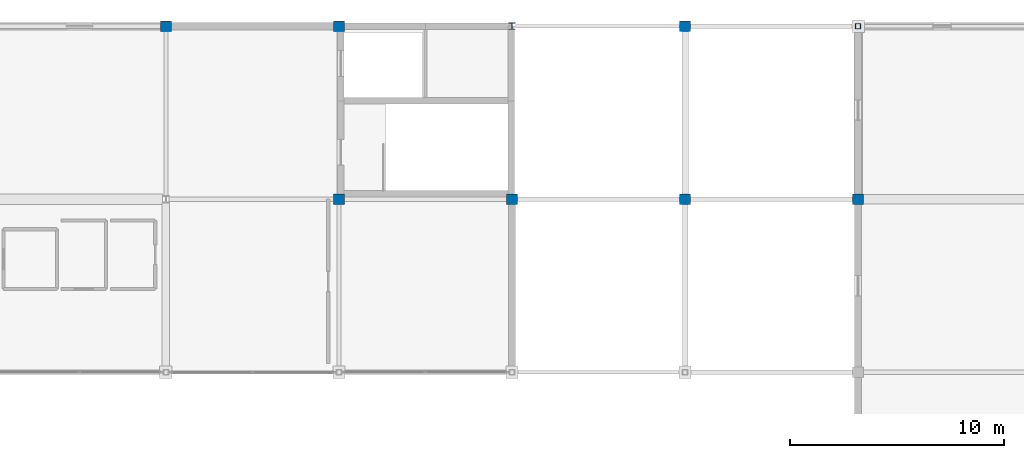
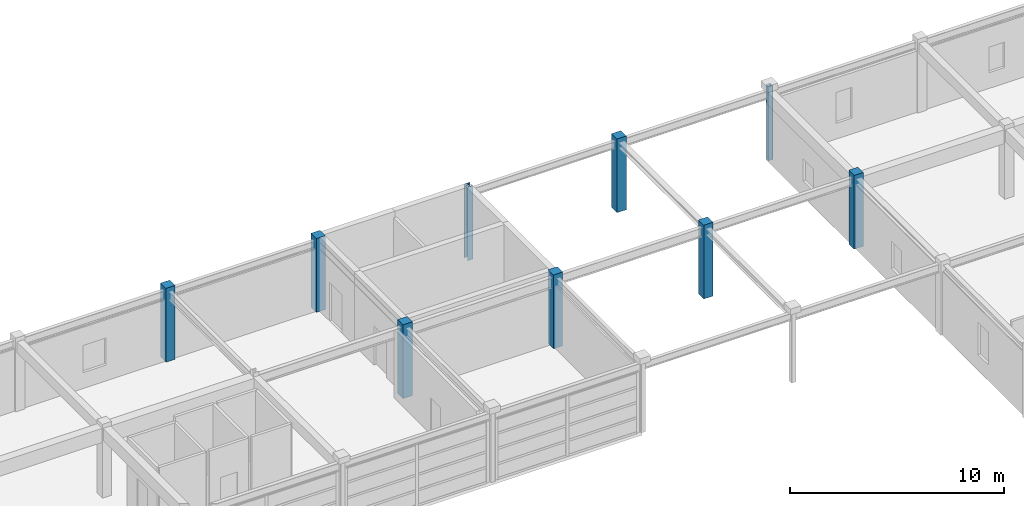
# One storey, part 7 of 26: 9 columns.
"""IFC4 building model written with IfcOpenShell, lengths in metres."""

import ifcopenshell
import ifcopenshell.guid

model = None  # the IFC model being written
_history = None  # IfcOwnerHistory: only IFC2X3 demands one
_inside = {}  # id of a spatial element -> (the spatial element, [elements in it])
_under = {}  # id of a project, library or spatial element -> (it, [spatial elements below it])
_declared = {}  # id of a project -> (the project, [libraries it declares])
_typed = {}  # id of a type object -> (the type object, [elements of that type])
_made_of = {}  # id of a material, layer set ... -> (it, [elements and type objects made of it])


def new_model(schema):
    """Start an empty IFC model of exactly this schema.

    Asked for "IFC4X3", IfcOpenShell would pick the latest addendum, in which some entities
    have other attributes; the version numbers below select the first issue.
    IFC2X3 requires an IfcOwnerHistory on every rooted entity: one is made here for all.
    """
    global model, _history
    if schema == "IFC4X3":
        model = ifcopenshell.file(schema_version=(4, 3, 0, 0))
    else:
        model = ifcopenshell.file(schema=schema)
    _inside.clear()
    _under.clear()
    _declared.clear()
    _typed.clear()
    _made_of.clear()
    _history = None
    if model.schema == "IFC2X3":
        org = make("IfcOrganization", Name="unknown")
        user = make(
            "IfcPersonAndOrganization",
            ThePerson=make("IfcPerson", FamilyName="unknown"),
            TheOrganization=org,
        )
        app = make(
            "IfcApplication",
            ApplicationDeveloper=org,
            Version="unknown",
            ApplicationFullName="unknown",
            ApplicationIdentifier="unknown",
        )
        _history = make(
            "IfcOwnerHistory",
            OwningUser=user,
            OwningApplication=app,
            ChangeAction="ADDED",
            CreationDate=0,
        )
    return model


def make(cls, **values):
    """One entity of the class cls with the attributes given. An attribute that is None is left unset."""
    return model.create_entity(
        cls, **{name: value for name, value in values.items() if value is not None}
    )


def rooted(cls, **values):
    """An entity with a GlobalId (a new one), such as an element, a storey or a relation."""
    return make(cls, GlobalId=ifcopenshell.guid.new(), OwnerHistory=_history, **values)


def si_unit(unit_type, name, prefix=None):
    """IfcSIUnit, for example si_unit("LENGTHUNIT", "METRE", prefix="MILLI")."""
    return make("IfcSIUnit", UnitType=unit_type, Prefix=prefix, Name=name)


def assignment(units):
    """IfcUnitAssignment: the units of a project."""
    return None if units is None else make("IfcUnitAssignment", Units=units)


def point(xyz):
    """IfcCartesianPoint."""
    return None if xyz is None else make("IfcCartesianPoint", Coordinates=xyz)


def direction(xyz):
    """IfcDirection."""
    return None if xyz is None else make("IfcDirection", DirectionRatios=xyz)


def frame(location, z_axis=None, x_axis=None):
    """IfcAxis2Placement3D, a coordinate frame: its origin and axes. An axis left out is left unset."""
    return make(
        "IfcAxis2Placement3D",
        Location=point(location),
        Axis=direction(z_axis),
        RefDirection=direction(x_axis),
    )


def frame_2d(location, x_axis=None):
    """IfcAxis2Placement2D, a coordinate frame in the plane: its origin and x axis."""
    return make(
        "IfcAxis2Placement2D", Location=point(location), RefDirection=direction(x_axis)
    )


def origin():
    """The frame at (0, 0, 0) with its axes left unset."""
    return frame((0.0, 0.0, 0.0))


def origin_2d():
    """The frame at (0, 0) in the plane with its x axis left unset."""
    return frame_2d((0.0, 0.0))


def place(relative_to, where):
    """IfcLocalPlacement: puts the frame where relative to a parent placement (None: the world)."""
    return make(
        "IfcLocalPlacement", PlacementRelTo=relative_to, RelativePlacement=where
    )


def context(
    kind, dimensions, precision=None, world=None, true_north=None, identifier=None
):
    """IfcGeometricRepresentationContext, for example the 3D "Model" context."""
    return make(
        "IfcGeometricRepresentationContext",
        ContextIdentifier=identifier,
        ContextType=kind,
        CoordinateSpaceDimension=dimensions,
        Precision=precision,
        WorldCoordinateSystem=world,
        TrueNorth=true_north,
    )


def subcontext(parent, identifier, kind, view, scale=None):
    """IfcGeometricRepresentationSubContext, for example "Body" below "Model"."""
    return make(
        "IfcGeometricRepresentationSubContext",
        ContextIdentifier=identifier,
        ContextType=kind,
        ParentContext=parent,
        TargetScale=scale,
        TargetView=view,
    )


def project(units=None, contexts=None):
    """IfcProject with its units and contexts."""
    return rooted(
        "IfcProject",
        Name="project",
        RepresentationContexts=contexts,
        UnitsInContext=assignment(units),
    )


def spatial(cls, under=None, at=None, **own):
    """A site, building, storey or space (cls), placed at a placement, below another one or the project."""
    s = rooted(cls, ObjectPlacement=at, **own)
    if under is not None:
        _under.setdefault(under.id(), (under, []))[1].append(s)
    return s


def profile(cls, at=None, kind="AREA", **sizes):
    """A parametric profile (cls). Its sizes go by their IFC names, for example OverallWidth=200.0."""
    return make(cls, ProfileType=kind, Position=at, **sizes)


def rectangle(**sizes):
    """IfcRectangleProfileDef."""
    return profile("IfcRectangleProfileDef", **sizes)


def hollow_rectangle(**sizes):
    """IfcRectangleHollowProfileDef."""
    return profile("IfcRectangleHollowProfileDef", **sizes)


def i_section(**sizes):
    """IfcIShapeProfileDef."""
    return profile("IfcIShapeProfileDef", **sizes)


def extrude(swept, where, along, depth):
    """IfcExtrudedAreaSolid: the profile swept, set in the frame where, extruded along a direction by depth."""
    return make(
        "IfcExtrudedAreaSolid",
        SweptArea=swept,
        Position=where,
        ExtrudedDirection=direction(along),
        Depth=depth,
    )


def shape(context_of_items, identifier, shape_type, items):
    """IfcShapeRepresentation: the items that make up one representation, for example the "Body"."""
    return make(
        "IfcShapeRepresentation",
        ContextOfItems=context_of_items,
        RepresentationIdentifier=identifier,
        RepresentationType=shape_type,
        Items=items,
    )


def material(Name=None, Category=None):
    """IfcMaterial."""
    return make("IfcMaterial", Name=Name, Category=Category)


def material_profile(
    of_material, cross_section, Name=None, Category=None, Priority=None
):
    """IfcMaterialProfile: a cross section and its material."""
    return make(
        "IfcMaterialProfile",
        Name=Name,
        Material=of_material,
        Profile=cross_section,
        Priority=Priority,
        Category=Category,
    )


def profile_set(profiles, Name=None, composite=None):
    """IfcMaterialProfileSet."""
    return make(
        "IfcMaterialProfileSet",
        Name=Name,
        MaterialProfiles=profiles,
        CompositeProfile=composite,
    )


def made_of(thing, what):
    """Note that an element or type object is made of a material, layer set ...; save() writes the relation."""
    if what is not None:
        _made_of.setdefault(what.id(), (what, []))[1].append(thing)
    return thing


def type_object(cls, material=None, **own):
    """A type object (cls), such as IfcWallType, which elements share."""
    return made_of(rooted(cls, **own), material)


def element(
    cls,
    number,
    at=None,
    inside=None,
    cuts=None,
    type_object=None,
    material=None,
    context=None,
    identifier="Body",
    shape_type=None,
    held_by="IfcProductDefinitionShape",
    body=None,
    shapes=None,
    **own,
):
    """One element of the class cls, such as IfcWall. Its Tag is "e" and its number.

    at: its placement. inside: the storey or other place that contains it. cuts: it is an
    opening in that element (IfcRelVoidsElement). A single representation is given by context,
    identifier, shape_type and body (its items); several are given by shapes. held_by: the class
    of the entity that holds the representations. save() writes the other relations.
    """
    e = rooted(cls, Tag="e%d" % number, ObjectPlacement=at, **own)
    if body is not None:
        shapes = [shape(context, identifier, shape_type, body)]
    if shapes is not None:
        e.Representation = make(held_by, Representations=shapes)
    if inside is not None:
        _inside.setdefault(inside.id(), (inside, []))[1].append(e)
    if cuts is not None:
        rooted(
            "IfcRelVoidsElement", RelatingBuildingElement=cuts, RelatedOpeningElement=e
        )
    if type_object is not None:
        _typed.setdefault(type_object.id(), (type_object, []))[1].append(e)
    return made_of(e, material)


def aggregate(whole, parts):
    """IfcRelAggregates: a whole, such as a stair, and the parts it consists of."""
    return rooted("IfcRelAggregates", RelatingObject=whole, RelatedObjects=parts)


def save(model, path):
    """Write the relations noted so far, then the file.

    IfcRelAggregates (storeys below a building ...), IfcRelContainedInSpatialStructure (elements
    in a storey), IfcRelDefinesByType, IfcRelAssociatesMaterial and IfcRelDeclares: one each for
    every whole, place, type object, material and project.
    """
    for whole, parts in _under.values():
        aggregate(whole, parts)
    for where, things in _inside.values():
        rooted(
            "IfcRelContainedInSpatialStructure",
            RelatedElements=things,
            RelatingStructure=where,
        )
    for kind, things in _typed.values():
        rooted("IfcRelDefinesByType", RelatedObjects=things, RelatingType=kind)
    for what, things in _made_of.values():
        rooted("IfcRelAssociatesMaterial", RelatedObjects=things, RelatingMaterial=what)
    for by, libraries in _declared.values():
        rooted("IfcRelDeclares", RelatingContext=by, RelatedDefinitions=libraries)
    model.write(path)


model = new_model("IFC4")

# Units and contexts
model_context = context("Model", 3, precision=1e-05, world=origin(), true_north=direction((0.0, 1.0)))
body_context = subcontext(model_context, "Body", "Model", "MODEL_VIEW")
ifc_project = project(units=[si_unit("LENGTHUNIT", "METRE"), si_unit("AREAUNIT", "SQUARE_METRE"), si_unit("VOLUMEUNIT", "CUBIC_METRE"), si_unit("PLANEANGLEUNIT", "RADIAN"), si_unit("MASSUNIT", "GRAM", prefix="KILO")], contexts=[model_context])

# Site, building, storey
site_placement = place(None, origin())
site = spatial("IfcSite", under=ifc_project, at=site_placement, CompositionType="ELEMENT")
building_placement = place(site_placement, origin())
building = spatial("IfcBuilding", under=site, at=building_placement, Name="Parian Resonance Hall", CompositionType="ELEMENT")
storey_placement = place(building_placement, frame((0.0, 0.0, 19.199951171875)))
storey = spatial("IfcBuildingStorey", under=building, at=storey_placement, Name="L04", CompositionType="ELEMENT", Elevation=19.199951171875)

# Columns
ifc_material_1 = material(Name="Concrete C40/50", Category="concrete")
ifc_material_profile_1 = material_profile(ifc_material_1, rectangle(XDim=0.5, YDim=0.5, at=origin_2d()), Name="RC-COL-500x500")
ifc_profile_set_1 = profile_set([ifc_material_profile_1], Name="Concrete C40/50")
column_type_1 = type_object("IfcColumnType", Name="COL-RC500", PredefinedType="COLUMN", material=ifc_profile_set_1)
for number, where, z_axis, x_axis, name in (
    (1, (81.0, 89.10009765625, 0.0), (0.0, 0.0, 1.0), (1.0, 0.0, 0.0), "Column G11-12 L04"),
    (2, (89.10009765625, 81.0, 0.0), (0.0, 0.0, 1.0), (1.0, 0.0, 0.0), "Column G12-11 L04"),
    (3, (89.10009765625, 89.10009765625, 0.0), (0.0, 0.0, 1.0), (1.0, 0.0, 0.0), "Column G12-12 L04"),
    (4, (97.199951171875, 81.0, 0.0), (0.0, 0.0, 1.0), (1.0, 0.0, 0.0), "Column G13-11 L04"),
    (5, (105.300048828125, 81.0, 0.0), (0.0, 0.0, 1.0), (1.0, 0.0, 0.0), "Column G14-11 L04"),
    (6, (105.300048828125, 89.10009765625, 0.0), (0.0, 0.0, 1.0), (1.0, 0.0, 0.0), "Column G14-12 L04"),
    (7, (113.39990234375, 81.0, 0.0), (0.0, 0.0, 1.0), (1.0, 0.0, 0.0), "Column G15-11 L04"),
):
    element("IfcColumn", number, at=place(storey_placement, frame(where, z_axis=z_axis, x_axis=x_axis)), inside=storey, type_object=column_type_1, Name=name, PredefinedType="COLUMN", context=body_context, shape_type="SweptSolid", body=[
        extrude(rectangle(XDim=0.5, YDim=0.5, at=origin_2d()), origin(), (0.0, 0.0, 1.0), 4.199951171875),
    ])
ifc_material_2 = material(Name="Hollow structural steel S355", Category="steel")
ifc_material_profile_2 = material_profile(ifc_material_2, hollow_rectangle(XDim=0.25, YDim=0.25, WallThickness=0.012451171875, InnerFilletRadius=0.012451171875, OuterFilletRadius=0.02490234375, at=origin_2d()), Name="SHS250x250x12.5")
ifc_profile_set_2 = profile_set([ifc_material_profile_2], Name="Hollow structural steel S355")
column_type_2 = type_object("IfcColumnType", Name="COL-SHS250", PredefinedType="COLUMN", material=ifc_profile_set_2)
column_1_placement = place(storey_placement, frame((113.39990234375, 89.10009765625, 0.0), z_axis=(0.0, 0.0, 1.0), x_axis=(1.0, 0.0, 0.0)))
element("IfcColumn", 8, at=column_1_placement, inside=storey, type_object=column_type_2, Name="Column G15-12 L04", PredefinedType="COLUMN", context=body_context, shape_type="SweptSolid", body=[
    extrude(hollow_rectangle(XDim=0.25, YDim=0.25, WallThickness=0.012451171875, InnerFilletRadius=0.012451171875, OuterFilletRadius=0.02490234375, at=origin_2d()), origin(), (0.0, 0.0, 1.0), 4.199951171875),
])
ifc_material_3 = material(Name="Steel S355", Category="steel")
ifc_material_profile_3 = material_profile(ifc_material_3, i_section(OverallWidth=0.304931640625, OverallDepth=0.30810546875, WebThickness=0.010009765625, FlangeThickness=0.015380859375, FilletRadius=0.01513671875, at=origin_2d()), Name="W310x97")
ifc_profile_set_3 = profile_set([ifc_material_profile_3], Name="Steel S355")
column_type_3 = type_object("IfcColumnType", Name="COL-W310", PredefinedType="COLUMN", material=ifc_profile_set_3)
column_2_placement = place(storey_placement, frame((97.199951171875, 89.10009765625, 0.0), z_axis=(0.0, 0.0, 1.0), x_axis=(1.0, 0.0, 0.0)))
element("IfcColumn", 9, at=column_2_placement, inside=storey, type_object=column_type_3, Name="Column G13-12 L04", PredefinedType="COLUMN", context=body_context, shape_type="SweptSolid", body=[
    extrude(i_section(OverallWidth=0.304931640625, OverallDepth=0.30810546875, WebThickness=0.010009765625, FlangeThickness=0.015380859375, FilletRadius=0.01513671875, at=origin_2d()), origin(), (0.0, 0.0, 1.0), 4.199951171875),
])

save(model, "model.ifc")
